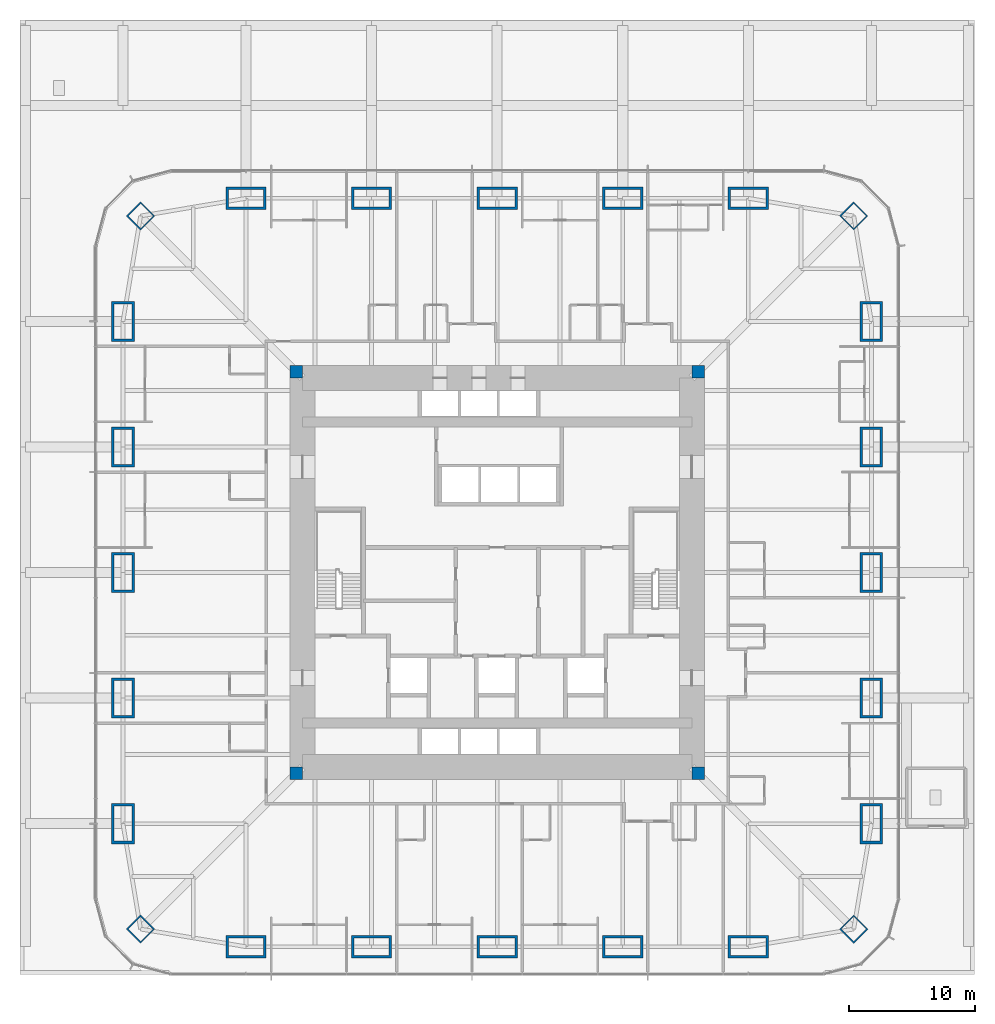
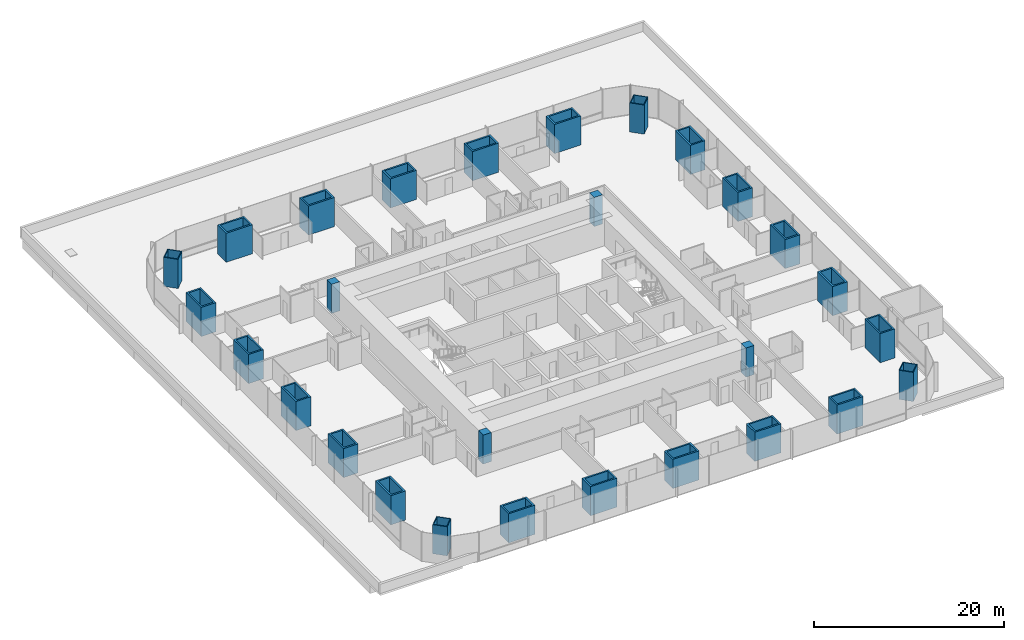
# One storey, part 1 of 20: 28 columns.
"""IFC4 building model written with IfcOpenShell, lengths in metres."""

from ifc_helpers import new_model, si_unit, direction, frame, origin, origin_2d, place, context, subcontext, project, spatial, rectangle, hollow_rectangle, extrude, material, material_profile, profile_set, type_object, element, save


model = new_model("IFC4")

# Units and contexts
model_context = context("Model", 3, precision=1e-05, world=origin(), true_north=direction((0.0, 1.0)))
body_context = subcontext(model_context, "Body", "Model", "MODEL_VIEW")
ifc_project = project(units=[si_unit("LENGTHUNIT", "METRE"), si_unit("AREAUNIT", "SQUARE_METRE"), si_unit("VOLUMEUNIT", "CUBIC_METRE"), si_unit("PLANEANGLEUNIT", "RADIAN"), si_unit("MASSUNIT", "GRAM", prefix="KILO")], contexts=[model_context])

# Site, building, storey
site_placement = place(None, origin())
site = spatial("IfcSite", under=ifc_project, at=site_placement, CompositionType="ELEMENT")
building_placement = place(site_placement, origin())
building = spatial("IfcBuilding", under=site, at=building_placement, Name="Khuree Lantern Residences", CompositionType="ELEMENT")
storey_placement = place(building_placement, frame((0.0, 0.0, 21.0)))
storey = spatial("IfcBuildingStorey", under=building, at=storey_placement, Name="L04", CompositionType="ELEMENT", Elevation=21.0)

# Columns
ifc_material_1 = material(Name="Steel S355 CFT welded box", Category="steel")
ifc_material_profile_1 = material_profile(ifc_material_1, hollow_rectangle(XDim=1.60009765625, YDim=1.60009765625, WallThickness=0.10009765625, at=origin_2d()), Name="WELDED BOX 1600X1600X100")
ifc_profile_set_1 = profile_set([ifc_material_profile_1], Name="Steel S355 CFT welded box")
column_type_1 = type_object("IfcColumnType", Name="CC1600 PERIMETER CORNER MEGA COLUMN WELDED BOX 1600X1600X100", PredefinedType="COLUMN", material=ifc_profile_set_1)
for number, where, z_axis, x_axis, name in (
    (1, (28.39404296875, 28.39404296875, 0.0), (0.0, 0.0, 1.0), (0.707106781187, -0.707106781187, 0.0), "Perimeter column NE"),
    (2, (28.39404296875, -28.39404296875, 0.0), (0.0, 0.0, 1.0), (0.707106781187, 0.707106781187, 0.0), "Perimeter column SE"),
    (3, (-28.39404296875, -28.39404296875, 0.0), (0.0, 0.0, 1.0), (0.707106781187, -0.707106781187, 0.0), "Perimeter column SW"),
    (4, (-28.39404296875, 28.39404296875, 0.0), (0.0, 0.0, 1.0), (0.707106781187, 0.707106781187, 0.0), "Perimeter column NW"),
):
    element("IfcColumn", number, at=place(storey_placement, frame(where, z_axis=z_axis, x_axis=x_axis)), inside=storey, type_object=column_type_1, Name=name, PredefinedType="COLUMN", context=body_context, shape_type="SweptSolid", body=[
        extrude(hollow_rectangle(XDim=1.60009765625, YDim=1.60009765625, WallThickness=0.10009765625, at=origin_2d()), origin(), (0.0, 0.0, 1.0), 3.75),
    ])
ifc_material_2 = material(Name="Concrete C70/85", Category="concrete")
ifc_material_profile_2 = material_profile(ifc_material_2, rectangle(XDim=1.0, YDim=1.0, at=origin_2d()), Name="RC 1000X1000")
ifc_profile_set_2 = profile_set([ifc_material_profile_2], Name="Concrete C70/85")
column_type_2 = type_object("IfcColumnType", Name="CP1000-C70 CORE CORNER PIER C70 RC 1000X1000", PredefinedType="COLUMN", material=ifc_profile_set_2)
for number, where, z_axis, x_axis, name in (
    (5, (16.0, 16.0, -0.25), (0.0, 0.0, 1.0), (1.0, 0.0, 0.0), "Core corner pier NE"),
    (6, (-16.0, 16.0, -0.25), (0.0, 0.0, 1.0), (1.0, 0.0, 0.0), "Core corner pier NW"),
    (7, (-16.0, -16.0, -0.25), (0.0, 0.0, 1.0), (1.0, 0.0, 0.0), "Core corner pier SW"),
    (8, (16.0, -16.0, -0.25), (0.0, 0.0, 1.0), (1.0, 0.0, 0.0), "Core corner pier SE"),
):
    element("IfcColumn", number, at=place(storey_placement, frame(where, z_axis=z_axis, x_axis=x_axis)), inside=storey, type_object=column_type_2, Name=name, PredefinedType="COLUMN", context=body_context, shape_type="SweptSolid", body=[
        extrude(rectangle(XDim=1.0, YDim=1.0, at=origin_2d()), origin(), (0.0, 0.0, 1.0), 3.75),
    ])
ifc_material_profile_3 = material_profile(ifc_material_1, hollow_rectangle(XDim=3.199951171875, YDim=1.800048828125, WallThickness=0.199951171875, at=origin_2d()), Name="WELDED BOX 3200X1800X200")
ifc_profile_set_3 = profile_set([ifc_material_profile_3], Name="Steel S355 CFT welded box")
column_type_3 = type_object("IfcColumnType", Name="SC1 PERIMETER MEGA COLUMN WELDED BOX 3200X1800X200", PredefinedType="COLUMN", material=ifc_profile_set_3)
for number, where, z_axis, x_axis, name in (
    (9, (-20.0, 29.800048828125, 0.0), (0.0, 0.0, 1.0), (1.0, 0.0, 0.0), "Perimeter column N1"),
    (10, (-10.0, 29.800048828125, 0.0), (0.0, 0.0, 1.0), (1.0, 0.0, 0.0), "Perimeter column N2"),
    (11, (0.0, 29.800048828125, 0.0), (0.0, 0.0, 1.0), (1.0, 0.0, 0.0), "Perimeter column N3"),
    (12, (10.0, 29.800048828125, 0.0), (0.0, 0.0, 1.0), (1.0, 0.0, 0.0), "Perimeter column N4"),
    (13, (20.0, 29.800048828125, 0.0), (0.0, 0.0, 1.0), (1.0, 0.0, 0.0), "Perimeter column N5"),
    (14, (29.800048828125, 20.0, 0.0), (0.0, 0.0, 1.0), (0.0, 1.0, 0.0), "Perimeter column E1"),
    (15, (29.800048828125, 10.0, 0.0), (0.0, 0.0, 1.0), (0.0, 1.0, 0.0), "Perimeter column E2"),
    (16, (29.800048828125, 0.0, 0.0), (0.0, 0.0, 1.0), (0.0, 1.0, 0.0), "Perimeter column E3"),
    (17, (29.800048828125, -10.0, 0.0), (0.0, 0.0, 1.0), (0.0, 1.0, 0.0), "Perimeter column E4"),
    (18, (29.800048828125, -20.0, 0.0), (0.0, 0.0, 1.0), (0.0, 1.0, 0.0), "Perimeter column E5"),
    (19, (20.0, -29.800048828125, 0.0), (0.0, 0.0, 1.0), (1.0, 0.0, 0.0), "Perimeter column S1"),
    (20, (10.0, -29.800048828125, 0.0), (0.0, 0.0, 1.0), (1.0, 0.0, 0.0), "Perimeter column S2"),
    (21, (0.0, -29.800048828125, 0.0), (0.0, 0.0, 1.0), (1.0, 0.0, 0.0), "Perimeter column S3"),
    (22, (-10.0, -29.800048828125, 0.0), (0.0, 0.0, 1.0), (1.0, 0.0, 0.0), "Perimeter column S4"),
    (23, (-20.0, -29.800048828125, 0.0), (0.0, 0.0, 1.0), (1.0, 0.0, 0.0), "Perimeter column S5"),
    (24, (-29.800048828125, -20.0, 0.0), (0.0, 0.0, 1.0), (0.0, 1.0, 0.0), "Perimeter column W1"),
    (25, (-29.800048828125, -10.0, 0.0), (0.0, 0.0, 1.0), (0.0, 1.0, 0.0), "Perimeter column W2"),
    (26, (-29.800048828125, 0.0, 0.0), (0.0, 0.0, 1.0), (0.0, 1.0, 0.0), "Perimeter column W3"),
    (27, (-29.800048828125, 10.0, 0.0), (0.0, 0.0, 1.0), (0.0, 1.0, 0.0), "Perimeter column W4"),
    (28, (-29.800048828125, 20.0, 0.0), (0.0, 0.0, 1.0), (0.0, 1.0, 0.0), "Perimeter column W5"),
):
    element("IfcColumn", number, at=place(storey_placement, frame(where, z_axis=z_axis, x_axis=x_axis)), inside=storey, type_object=column_type_3, Name=name, PredefinedType="COLUMN", context=body_context, shape_type="SweptSolid", body=[
        extrude(hollow_rectangle(XDim=3.199951171875, YDim=1.800048828125, WallThickness=0.199951171875, at=origin_2d()), origin(), (0.0, 0.0, 1.0), 3.75),
    ])

save(model, "model.ifc")
